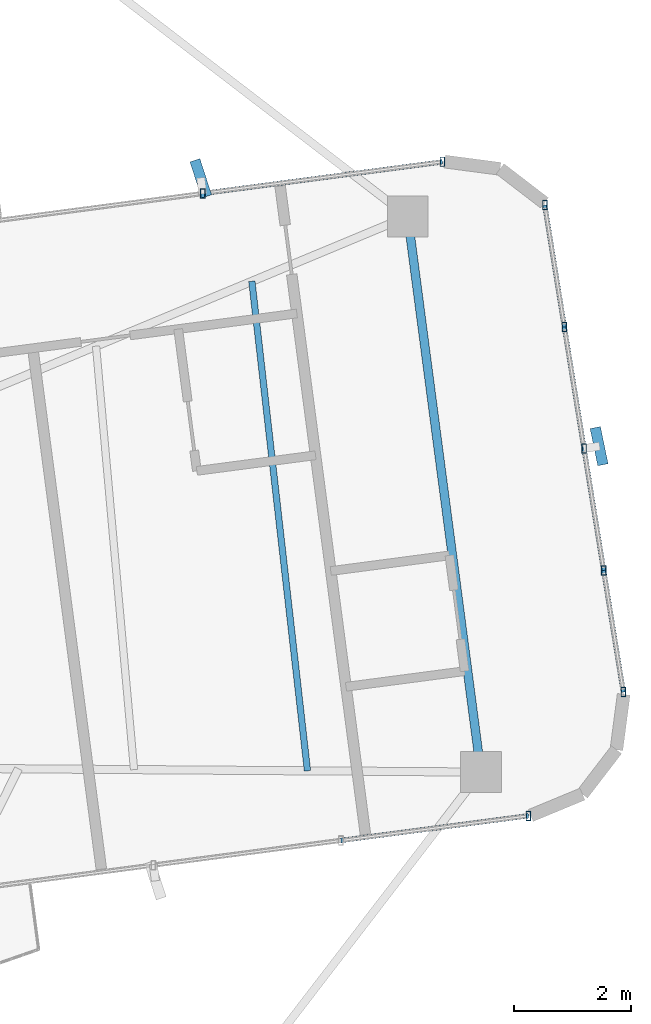
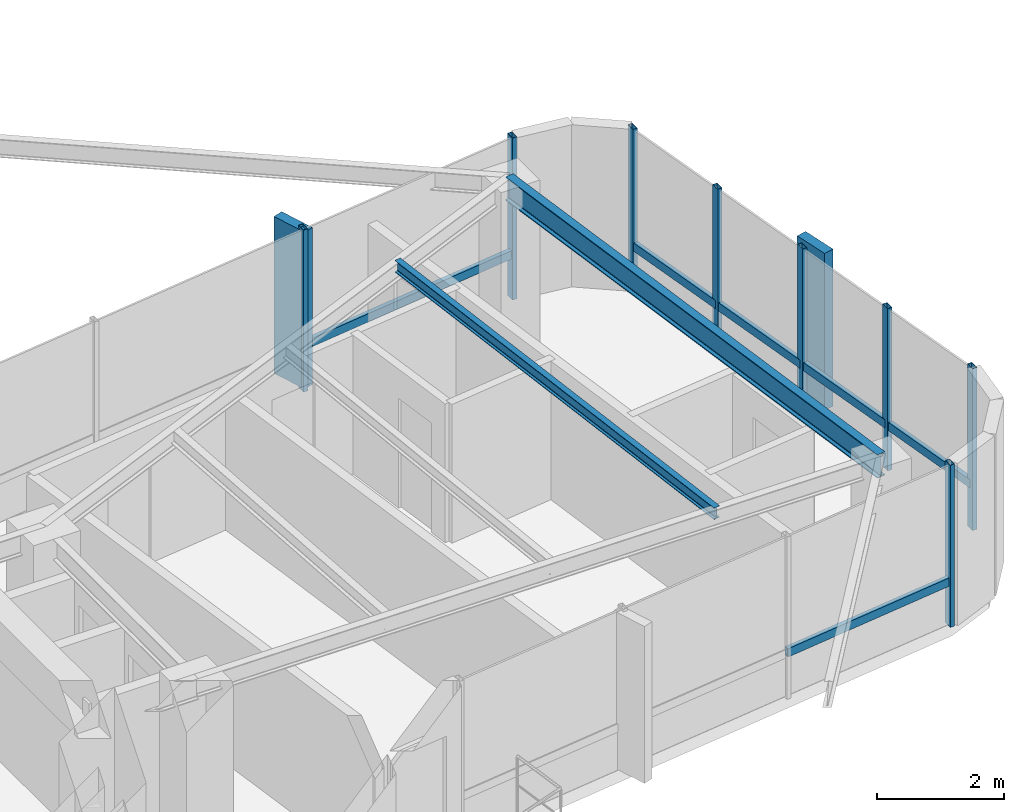
# One storey, part 12 of 21: 16 members, 2 beams, 3 elements without a shape of their own.
"""IFC4 building model written with IfcOpenShell, lengths in metres."""

from ifc_helpers import new_model, si_unit, direction, frame, origin, origin_2d, place, context, subcontext, project, spatial, rectangle, hollow_rectangle, i_section, extrude, source, transform, mapped, material, material_profile, profile_set, type_object, element, aggregate, save


model = new_model("IFC4")

# Units and contexts
model_context = context("Model", 3, precision=1e-05, world=origin(), true_north=direction((0.0, 1.0)))
body_context = subcontext(model_context, "Body", "Model", "MODEL_VIEW")
ifc_project = project(units=[si_unit("LENGTHUNIT", "METRE"), si_unit("AREAUNIT", "SQUARE_METRE"), si_unit("VOLUMEUNIT", "CUBIC_METRE"), si_unit("PLANEANGLEUNIT", "RADIAN"), si_unit("MASSUNIT", "GRAM", prefix="KILO")], contexts=[model_context])

# Site, building, storey
site_placement = place(None, origin())
site = spatial("IfcSite", under=ifc_project, at=site_placement, CompositionType="ELEMENT")
building_placement = place(site_placement, origin())
building = spatial("IfcBuilding", under=site, at=building_placement, Name="Sahyath Konkavel Grand Hotel", CompositionType="ELEMENT")
storey_placement = place(building_placement, frame((0.0, 0.0, 216.550048828125)))
storey = spatial("IfcBuildingStorey", under=building, at=storey_placement, Name="L60", CompositionType="ELEMENT", Elevation=216.550048828125)

# Beams
ifc_material_1 = material(Name="Steel E350", Category="steel")
ifc_material_profile_1 = material_profile(ifc_material_1, i_section(OverallWidth=0.14990234375, OverallDepth=0.449951171875, WebThickness=0.009521484375, FlangeThickness=0.017333984375, FilletRadius=0.014892578125, at=origin_2d()), Name="ISMB 450")
ifc_profile_set_1 = profile_set([ifc_material_profile_1], Name="Steel E350")
beam_type_1 = type_object("IfcBeamType", Name="BM-ISMB450", PredefinedType="BEAM", material=ifc_profile_set_1)
shared_shape_1 = source(origin(), body_context, "Body", "SweptSolid", [
    extrude(i_section(OverallWidth=0.14990234375, OverallDepth=0.449951171875, WebThickness=0.009521484375, FlangeThickness=0.017333984375, FilletRadius=0.014892578125, at=origin_2d()), origin(), (0.0, 0.0, 1.0), 9.599853515625),
])
beam_1_placement = place(storey_placement, frame((17.877685546875, -2.48779296875, 2.885009765625), z_axis=(-0.130539375757, 0.991443125639, 0.0), x_axis=(-0.991443125639, -0.130539375757, 0.0)))
element("IfcBeam", 1, at=beam_1_placement, inside=storey, type_object=beam_type_1, Name="L60 Wing Tip Edge Beam E", PredefinedType="BEAM", context=body_context, shape_type="MappedRepresentation", body=[
    mapped(shared_shape_1, transform((0.0, 0.0, 0.0), scale=1.0)),
])
ifc_material_profile_2 = material_profile(ifc_material_1, i_section(OverallWidth=0.110107421875, OverallDepth=0.22509765625, WebThickness=0.006591796875, FlangeThickness=0.01171875, FilletRadius=0.011962890625, at=origin_2d()), Name="ISMB 225")
ifc_profile_set_2 = profile_set([ifc_material_profile_2], Name="Steel E350")
beam_type_2 = type_object("IfcBeamType", Name="BM-ISMB225", PredefinedType="BEAM", material=ifc_profile_set_2)
shared_shape_2 = source(origin(), body_context, "Body", "SweptSolid", [
    extrude(i_section(OverallWidth=0.110107421875, OverallDepth=0.22509765625, WebThickness=0.006591796875, FlangeThickness=0.01171875, FilletRadius=0.011962890625, at=origin_2d()), origin(), (0.0, 0.0, 1.0), 8.439697265625),
])
beam_2_placement = place(storey_placement, frame((14.906982421875, -2.466796875, 2.99755859375), z_axis=(-0.112847377236, 0.993612333584, 0.0), x_axis=(-0.993612333584, -0.112847377236, 0.0)))
element("IfcBeam", 2, at=beam_2_placement, inside=storey, type_object=beam_type_2, Name="L60 Secondary Floor Beam E-3", PredefinedType="BEAM", context=body_context, shape_type="MappedRepresentation", body=[
    mapped(shared_shape_2, transform((0.0, 0.0, 0.0), scale=1.0)),
])

# Curtain wall, member
ifc_material_2 = material(Name="Anodised Bronze Aluminium & Low-E Glazing", Category="aluminium")
curtain_wall_type = type_object("IfcCurtainWallType", Name="CW-ZONE4", PredefinedType="NOTDEFINED", material=ifc_material_2)
curtain_wall_1_placement = place(storey_placement, origin())
curtain_wall_1 = element("IfcCurtainWall", 3, at=curtain_wall_1_placement, inside=storey, type_object=curtain_wall_type, Name="L60 Unitised Curtain Wall F0", PredefinedType="NOTDEFINED")
ifc_material_3 = material(Name="Anodised Bronze Aluminium", Category="aluminium")
ifc_material_profile_3 = material_profile(ifc_material_3, hollow_rectangle(XDim=0.080078125, YDim=0.159912109375, WallThickness=0.006103515625, at=origin_2d()), Name="RHS 160x80x6")
ifc_profile_set_3 = profile_set([ifc_material_profile_3], Name="Anodised Bronze Aluminium")
member_type_1 = type_object("IfcMemberType", Name="CW-MUL-160", PredefinedType="MULLION", material=ifc_profile_set_3)
shared_shape_3 = source(origin(), body_context, "Body", "SweptSolid", [
    extrude(hollow_rectangle(XDim=0.080078125, YDim=0.159912109375, WallThickness=0.006103515625, at=origin_2d()), origin(), (0.0, 0.0, 1.0), 3.10986328125),
])
member_1_placement = place(storey_placement, frame((18.6923828125, -3.23779296875, 0.0), z_axis=(0.0, 0.0, 1.0), x_axis=(1.0, 0.0, 0.0)))
member_1 = element("IfcMember", 4, at=member_1_placement, type_object=member_type_1, Name="L60 Curtain Wall Mullion F0-3", PredefinedType="MULLION", context=body_context, shape_type="MappedRepresentation", body=[
    mapped(shared_shape_3, transform((0.0, 0.0, 0.0), scale=1.0)),
])

# Curtain wall, members
curtain_wall_2_placement = place(storey_placement, origin())
curtain_wall_2 = element("IfcCurtainWall", 5, at=curtain_wall_2_placement, inside=storey, type_object=curtain_wall_type, Name="L60 Unitised Curtain Wall F4", PredefinedType="NOTDEFINED")
member_2_placement = place(storey_placement, frame((20.318603515625, -1.117431640625, 0.0), z_axis=(0.0, 0.0, 1.0), x_axis=(1.0, 0.0, 0.0)))
member_2 = element("IfcMember", 6, at=member_2_placement, type_object=member_type_1, Name="L60 Curtain Wall Mullion F4-0", PredefinedType="MULLION", context=body_context, shape_type="MappedRepresentation", body=[
    mapped(shared_shape_3, transform((0.0, 0.0, 0.0), scale=1.0)),
])
member_3_placement = place(storey_placement, frame((19.982177734375, 0.9677734375, 0.0), z_axis=(0.0, 0.0, 1.0), x_axis=(1.0, 0.0, 0.0)))
member_3 = element("IfcMember", 7, at=member_3_placement, type_object=member_type_1, Name="L60 Curtain Wall Mullion F4-1", PredefinedType="MULLION", context=body_context, shape_type="MappedRepresentation", body=[
    mapped(shared_shape_3, transform((0.0, 0.0, 0.0), scale=1.0)),
])
member_4_placement = place(storey_placement, frame((19.6455078125, 3.052734375, 0.0), z_axis=(0.0, 0.0, 1.0), x_axis=(1.0, 0.0, 0.0)))
member_4 = element("IfcMember", 8, at=member_4_placement, type_object=member_type_1, Name="L60 Curtain Wall Mullion F4-2", PredefinedType="MULLION", context=body_context, shape_type="MappedRepresentation", body=[
    mapped(shared_shape_3, transform((0.0, 0.0, 0.0), scale=1.0)),
])
member_5_placement = place(storey_placement, frame((19.30908203125, 5.137939453125, 0.0), z_axis=(0.0, 0.0, 1.0), x_axis=(1.0, 0.0, 0.0)))
member_5 = element("IfcMember", 9, at=member_5_placement, type_object=member_type_1, Name="L60 Curtain Wall Mullion F4-3", PredefinedType="MULLION", context=body_context, shape_type="MappedRepresentation", body=[
    mapped(shared_shape_3, transform((0.0, 0.0, 0.0), scale=1.0)),
])
member_6_placement = place(storey_placement, frame((18.972900390625, 7.22314453125, 0.0), z_axis=(0.0, 0.0, 1.0), x_axis=(1.0, 0.0, 0.0)))
member_6 = element("IfcMember", 10, at=member_6_placement, type_object=member_type_1, Name="L60 Curtain Wall Mullion F4-4", PredefinedType="MULLION", context=body_context, shape_type="MappedRepresentation", body=[
    mapped(shared_shape_3, transform((0.0, 0.0, 0.0), scale=1.0)),
])

curtain_wall_3_placement = place(storey_placement, origin())
curtain_wall_3 = element("IfcCurtainWall", 11, at=curtain_wall_3_placement, inside=storey, type_object=curtain_wall_type, Name="L60 Unitised Curtain Wall F7", PredefinedType="NOTDEFINED")
member_7_placement = place(storey_placement, frame((17.217529296875, 7.965576171875, 0.0), z_axis=(0.0, 0.0, 1.0), x_axis=(1.0, 0.0, 0.0)))
member_7 = element("IfcMember", 12, at=member_7_placement, type_object=member_type_1, Name="L60 Curtain Wall Mullion F7-0", PredefinedType="MULLION", context=body_context, shape_type="MappedRepresentation", body=[
    mapped(shared_shape_3, transform((0.0, 0.0, 0.0), scale=1.0)),
])
member_8_placement = place(storey_placement, frame((13.113037109375, 7.425048828125, 0.0), z_axis=(0.0, 0.0, 1.0), x_axis=(1.0, 0.0, 0.0)))
member_8 = element("IfcMember", 13, at=member_8_placement, type_object=member_type_1, Name="L60 Curtain Wall Mullion F7-1", PredefinedType="MULLION", context=body_context, shape_type="MappedRepresentation", body=[
    mapped(shared_shape_3, transform((0.0, 0.0, 0.0), scale=1.0)),
])

# Member
ifc_material_4 = material(Name="Warm Buff Sandstone Cladding on Concrete C50/60", Category="masonry")
ifc_material_profile_4 = material_profile(ifc_material_4, rectangle(XDim=0.179931640625, YDim=0.64990234375, at=origin_2d()), Name="FIN 180x650")
ifc_profile_set_4 = profile_set([ifc_material_profile_4], Name="Warm Buff Sandstone Cladding on Concrete C50/60")
member_type_2 = type_object("IfcMemberType", Name="FIN-SANDSTONE-650", PredefinedType="MULLION", material=ifc_profile_set_4)
shared_shape_4 = source(origin(), body_context, "Body", "SweptSolid", [
    extrude(rectangle(XDim=0.179931640625, YDim=0.64990234375, at=origin_2d()), origin(), (0.0, 0.0, 1.0), 3.010009765625),
])
member_9_placement = place(storey_placement, frame((19.90234375, 3.09423828125, 0.050048828125), z_axis=(0.0, 0.0, 1.0), x_axis=(0.979258188767, 0.202616385647, 0.0)))
member_9 = element("IfcMember", 14, at=member_9_placement, type_object=member_type_2, Name="L60 Sandstone Vertical Solar Fin FIN F4-2", PredefinedType="MULLION", context=body_context, shape_type="MappedRepresentation", body=[
    mapped(shared_shape_4, transform((0.0, 0.0, 0.0), scale=1.0)),
])

member_10_placement = place(storey_placement, frame((13.0791015625, 7.682861328125, 0.050048828125), z_axis=(0.0, 0.0, 1.0), x_axis=(0.951379596601, 0.308020881065, 0.0)))
member_10 = element("IfcMember", 15, at=member_10_placement, type_object=member_type_2, Name="L60 Sandstone Vertical Solar Fin FIN F7-1", PredefinedType="MULLION", context=body_context, shape_type="MappedRepresentation", body=[
    mapped(shared_shape_4, transform((0.0, 0.0, 0.0), scale=1.0)),
])

ifc_material_profile_5 = material_profile(ifc_material_3, hollow_rectangle(XDim=0.080078125, YDim=0.159912109375, WallThickness=0.006103515625, at=origin_2d()), Name="RHS 160x80x6")
ifc_profile_set_5 = profile_set([ifc_material_profile_5], Name="Anodised Bronze Aluminium")
member_type_3 = type_object("IfcMemberType", Name="CW-TRN-160", PredefinedType="USERDEFINED", material=ifc_profile_set_5)
shared_shape_5 = source(origin(), body_context, "Body", "SweptSolid", [
    extrude(hollow_rectangle(XDim=0.080078125, YDim=0.159912109375, WallThickness=0.006103515625, at=origin_2d()), origin(), (0.0, 0.0, 1.0), 3.239990234375),
])
member_11_placement = place(storey_placement, frame((15.480224609375, -3.66064453125, 0.849853515625), z_axis=(0.991446342692, 0.130514939997, 0.0), x_axis=(-0.130514939997, 0.991446342692, 0.0)))
member_11 = element("IfcMember", 16, at=member_11_placement, type_object=member_type_3, Name="L60 Curtain Wall Transom F0-2-spandrel", ObjectType="TRANSOM", PredefinedType="USERDEFINED", context=body_context, shape_type="MappedRepresentation", body=[
    mapped(shared_shape_5, transform((0.0, 0.0, 0.0), scale=1.0)),
])

aggregate(curtain_wall_1, [member_1, member_11])

shared_shape_6 = source(origin(), body_context, "Body", "SweptSolid", [
    extrude(hollow_rectangle(XDim=0.080078125, YDim=0.159912109375, WallThickness=0.006103515625, at=origin_2d()), origin(), (0.0, 0.0, 1.0), 2.112060546875),
])
member_12_placement = place(storey_placement, frame((20.318603515625, -1.117431640625, 0.849853515625), z_axis=(-0.159279681841, 0.987233499712, 0.0), x_axis=(-0.987233499712, -0.159279681841, 0.0)))
member_12 = element("IfcMember", 17, at=member_12_placement, type_object=member_type_3, Name="L60 Curtain Wall Transom F4-0-spandrel", ObjectType="TRANSOM", PredefinedType="USERDEFINED", context=body_context, shape_type="MappedRepresentation", body=[
    mapped(shared_shape_6, transform((0.0, 0.0, 0.0), scale=1.0)),
])

member_13_placement = place(storey_placement, frame((19.982177734375, 0.9677734375, 0.849853515625), z_axis=(-0.159410523793, 0.98721238085, 0.0), x_axis=(-0.98721238085, -0.159410523793, 0.0)))
member_13 = element("IfcMember", 18, at=member_13_placement, type_object=member_type_3, Name="L60 Curtain Wall Transom F4-1-spandrel", ObjectType="TRANSOM", PredefinedType="USERDEFINED", context=body_context, shape_type="MappedRepresentation", body=[
    mapped(shared_shape_6, transform((0.0, 0.0, 0.0), scale=1.0)),
])

member_14_placement = place(storey_placement, frame((19.6455078125, 3.052734375, 0.849853515625), z_axis=(-0.159279681841, 0.987233499712, 0.0), x_axis=(-0.987233499712, -0.159279681841, 0.0)))
member_14 = element("IfcMember", 19, at=member_14_placement, type_object=member_type_3, Name="L60 Curtain Wall Transom F4-2-spandrel", ObjectType="TRANSOM", PredefinedType="USERDEFINED", context=body_context, shape_type="MappedRepresentation", body=[
    mapped(shared_shape_6, transform((0.0, 0.0, 0.0), scale=1.0)),
])

member_15_placement = place(storey_placement, frame((19.30908203125, 5.137939453125, 0.849853515625), z_axis=(-0.159167023612, 0.98725166933, 0.0), x_axis=(-0.98725166933, -0.159167023612, 0.0)))
member_15 = element("IfcMember", 20, at=member_15_placement, type_object=member_type_3, Name="L60 Curtain Wall Transom F4-3-spandrel", ObjectType="TRANSOM", PredefinedType="USERDEFINED", context=body_context, shape_type="MappedRepresentation", body=[
    mapped(shared_shape_6, transform((0.0, 0.0, 0.0), scale=1.0)),
])

aggregate(curtain_wall_2, [member_2, member_3, member_4, member_9, member_5, member_6, member_12, member_13, member_14, member_15])

shared_shape_7 = source(origin(), body_context, "Body", "SweptSolid", [
    extrude(hollow_rectangle(XDim=0.080078125, YDim=0.159912109375, WallThickness=0.006103515625, at=origin_2d()), origin(), (0.0, 0.0, 1.0), 4.139892578125),
])
member_16_placement = place(storey_placement, frame((17.217529296875, 7.965576171875, 0.849853515625), z_axis=(-0.991439837467, -0.130564346904, 0.0), x_axis=(0.130564346904, -0.991439837467, 0.0)))
member_16 = element("IfcMember", 21, at=member_16_placement, type_object=member_type_3, Name="L60 Curtain Wall Transom F7-0-spandrel", ObjectType="TRANSOM", PredefinedType="USERDEFINED", context=body_context, shape_type="MappedRepresentation", body=[
    mapped(shared_shape_7, transform((0.0, 0.0, 0.0), scale=1.0)),
])

aggregate(curtain_wall_3, [member_7, member_8, member_10, member_16])

save(model, "model.ifc")
